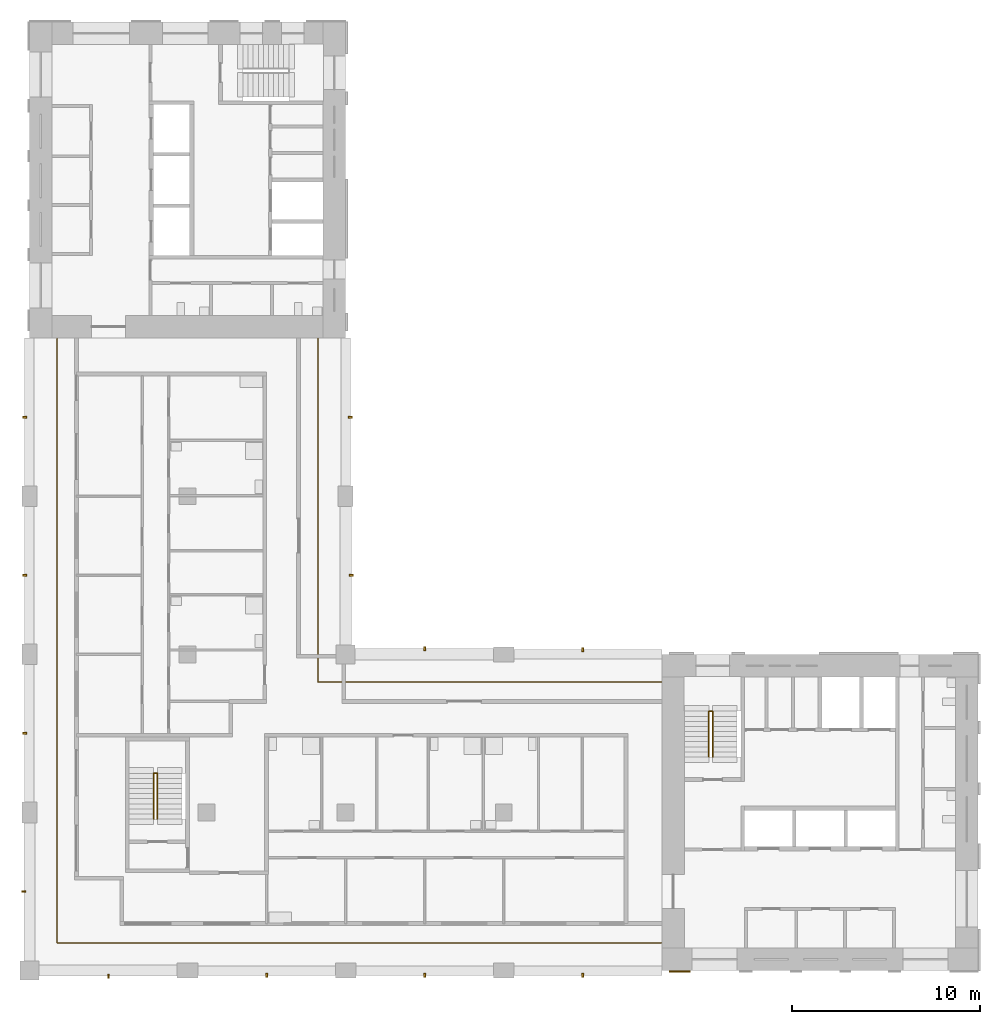
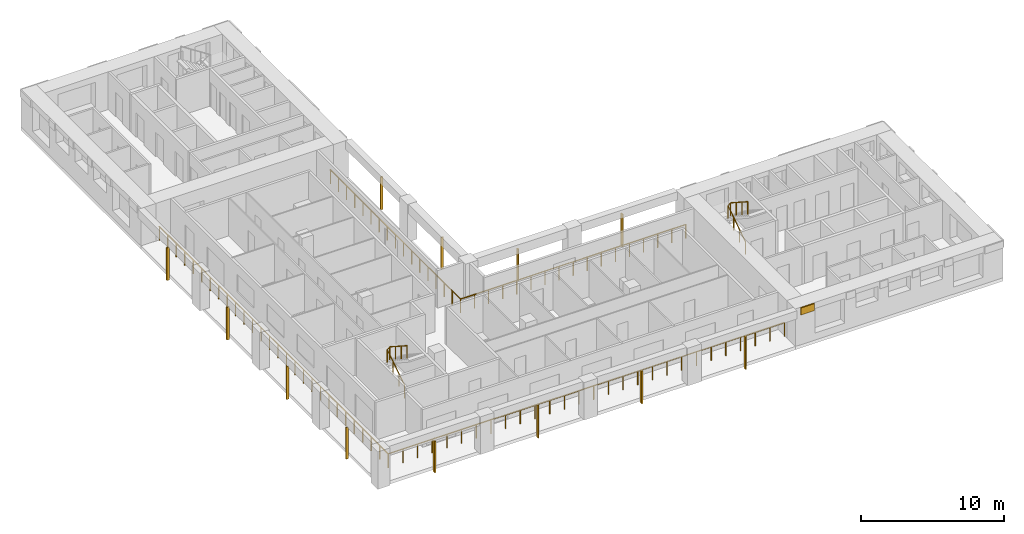
# One storey, part 8 of 10: 13 shading devices, 4 railings.
"""IFC4 building model written with IfcOpenShell, lengths in metres."""

from ifc_helpers import new_model, si_unit, direction, frame, origin, origin_2d, place, context, subcontext, project, spatial, rectangle, circle, extrude, material, layer, layer_set, material_profile, profile_set, type_object, element, save


model = new_model("IFC4")

# Units and contexts
model_context = context("Model", 3, precision=1e-05, world=origin(), true_north=direction((0.0, 1.0)))
body_context = subcontext(model_context, "Body", "Model", "MODEL_VIEW")
ifc_project = project(units=[si_unit("LENGTHUNIT", "METRE"), si_unit("AREAUNIT", "SQUARE_METRE"), si_unit("VOLUMEUNIT", "CUBIC_METRE"), si_unit("PLANEANGLEUNIT", "RADIAN"), si_unit("MASSUNIT", "GRAM", prefix="KILO")], contexts=[model_context])

# Site, building, storey
site_placement = place(None, origin())
site = spatial("IfcSite", under=ifc_project, at=site_placement, CompositionType="ELEMENT")
building_placement = place(site_placement, origin())
building = spatial("IfcBuilding", under=site, at=building_placement, Name="Vermilion Gate Residences", CompositionType="ELEMENT")
storey_placement = place(building_placement, frame((0.0, 0.0, 270.199951171875)))
storey = spatial("IfcBuildingStorey", under=building, at=storey_placement, Name="L71", CompositionType="ELEMENT", Elevation=270.199951171875)

# Railings
ifc_material_1 = material(Name="Stainless steel and toughened glass", Category="steel")
railing_type_1 = type_object("IfcRailingType", Name="LOGGIA GUARD STEEL AND GLASS 1200", PredefinedType="GUARDRAIL", material=ifc_material_1)
railing_1_placement = place(storey_placement, frame((41.97802734375, 23.72509765625, 0.0)))
element("IfcRailing", 1, at=railing_1_placement, inside=storey, type_object=railing_type_1, Name="Loggia guard", PredefinedType="GUARDRAIL", context=body_context, shape_type="SweptSolid", body=[
    extrude(circle(Radius=0.030029296875, at=origin_2d()), frame((0.0, 0.0, 1.169921875), z_axis=(-1.0, 0.0, 0.0), x_axis=(0.0, -1.0, 0.0)), (0.0, 0.0, 1.0), 18.2529296875),
    extrude(circle(Radius=0.030029296875, at=origin_2d()), frame((-18.2529296875, 0.0, 1.169921875), z_axis=(0.0, 1.0, 0.0), x_axis=(-1.0, 0.0, 0.0)), (0.0, 0.0, 1.0), 18.2529296875),
    extrude(circle(Radius=0.02490234375, at=origin_2d()), origin(), (0.0, 0.0, 1.0), 1.139892578125),
    extrude(circle(Radius=0.02490234375, at=origin_2d()), frame((-1.140869140625, 0.0, 0.0)), (0.0, 0.0, 1.0), 1.139892578125),
    extrude(circle(Radius=0.02490234375, at=origin_2d()), frame((-2.28173828125, 0.0, 0.0)), (0.0, 0.0, 1.0), 1.139892578125),
    extrude(circle(Radius=0.02490234375, at=origin_2d()), frame((-3.42236328125, 0.0, 0.0)), (0.0, 0.0, 1.0), 1.139892578125),
    extrude(circle(Radius=0.02490234375, at=origin_2d()), frame((-4.563232421875, 0.0, 0.0)), (0.0, 0.0, 1.0), 1.139892578125),
    extrude(circle(Radius=0.02490234375, at=origin_2d()), frame((-5.7041015625, 0.0, 0.0)), (0.0, 0.0, 1.0), 1.139892578125),
    extrude(circle(Radius=0.02490234375, at=origin_2d()), frame((-6.8447265625, 0.0, 0.0)), (0.0, 0.0, 1.0), 1.139892578125),
    extrude(circle(Radius=0.02490234375, at=origin_2d()), frame((-7.985595703125, 0.0, 0.0)), (0.0, 0.0, 1.0), 1.139892578125),
    extrude(circle(Radius=0.02490234375, at=origin_2d()), frame((-9.12646484375, 0.0, 0.0)), (0.0, 0.0, 1.0), 1.139892578125),
    extrude(circle(Radius=0.02490234375, at=origin_2d()), frame((-10.267333984375, 0.0, 0.0)), (0.0, 0.0, 1.0), 1.139892578125),
    extrude(circle(Radius=0.02490234375, at=origin_2d()), frame((-11.408203125, 0.0, 0.0)), (0.0, 0.0, 1.0), 1.139892578125),
    extrude(circle(Radius=0.02490234375, at=origin_2d()), frame((-12.548828125, 0.0, 0.0)), (0.0, 0.0, 1.0), 1.139892578125),
    extrude(circle(Radius=0.02490234375, at=origin_2d()), frame((-13.689697265625, 0.0, 0.0)), (0.0, 0.0, 1.0), 1.139892578125),
    extrude(circle(Radius=0.02490234375, at=origin_2d()), frame((-14.83056640625, 0.0, 0.0)), (0.0, 0.0, 1.0), 1.139892578125),
    extrude(circle(Radius=0.02490234375, at=origin_2d()), frame((-15.97119140625, 0.0, 0.0)), (0.0, 0.0, 1.0), 1.139892578125),
    extrude(circle(Radius=0.02490234375, at=origin_2d()), frame((-17.112060546875, 0.0, 0.0)), (0.0, 0.0, 1.0), 1.139892578125),
    extrude(circle(Radius=0.02490234375, at=origin_2d()), frame((-18.2529296875, 0.0, 0.0)), (0.0, 0.0, 1.0), 1.139892578125),
    extrude(circle(Radius=0.02490234375, at=origin_2d()), frame((-18.2529296875, 1.140869140625, 0.0)), (0.0, 0.0, 1.0), 1.139892578125),
    extrude(circle(Radius=0.02490234375, at=origin_2d()), frame((-18.2529296875, 2.28173828125, 0.0)), (0.0, 0.0, 1.0), 1.139892578125),
    extrude(circle(Radius=0.02490234375, at=origin_2d()), frame((-18.2529296875, 3.42236328125, 0.0)), (0.0, 0.0, 1.0), 1.139892578125),
    extrude(circle(Radius=0.02490234375, at=origin_2d()), frame((-18.2529296875, 4.563232421875, 0.0)), (0.0, 0.0, 1.0), 1.139892578125),
    extrude(circle(Radius=0.02490234375, at=origin_2d()), frame((-18.2529296875, 5.7041015625, 0.0)), (0.0, 0.0, 1.0), 1.139892578125),
    extrude(circle(Radius=0.02490234375, at=origin_2d()), frame((-18.2529296875, 6.8447265625, 0.0)), (0.0, 0.0, 1.0), 1.139892578125),
    extrude(circle(Radius=0.02490234375, at=origin_2d()), frame((-18.2529296875, 7.985595703125, 0.0)), (0.0, 0.0, 1.0), 1.139892578125),
    extrude(circle(Radius=0.02490234375, at=origin_2d()), frame((-18.2529296875, 9.12646484375, 0.0)), (0.0, 0.0, 1.0), 1.139892578125),
    extrude(circle(Radius=0.02490234375, at=origin_2d()), frame((-18.2529296875, 10.267333984375, 0.0)), (0.0, 0.0, 1.0), 1.139892578125),
    extrude(circle(Radius=0.02490234375, at=origin_2d()), frame((-18.2529296875, 11.408203125, 0.0)), (0.0, 0.0, 1.0), 1.139892578125),
    extrude(circle(Radius=0.02490234375, at=origin_2d()), frame((-18.2529296875, 12.548828125, 0.0)), (0.0, 0.0, 1.0), 1.139892578125),
    extrude(circle(Radius=0.02490234375, at=origin_2d()), frame((-18.2529296875, 13.689697265625, 0.0)), (0.0, 0.0, 1.0), 1.139892578125),
    extrude(circle(Radius=0.02490234375, at=origin_2d()), frame((-18.2529296875, 14.83056640625, 0.0)), (0.0, 0.0, 1.0), 1.139892578125),
    extrude(circle(Radius=0.02490234375, at=origin_2d()), frame((-18.2529296875, 15.97119140625, 0.0)), (0.0, 0.0, 1.0), 1.139892578125),
    extrude(circle(Radius=0.02490234375, at=origin_2d()), frame((-18.2529296875, 17.112060546875, 0.0)), (0.0, 0.0, 1.0), 1.139892578125),
    extrude(circle(Radius=0.02490234375, at=origin_2d()), frame((-18.2529296875, 18.2529296875, 0.0)), (0.0, 0.0, 1.0), 1.139892578125),
])
railing_2_placement = place(storey_placement, frame((9.875, 41.97802734375, 0.0)))
element("IfcRailing", 2, at=railing_2_placement, inside=storey, type_object=railing_type_1, Name="Loggia guard", PredefinedType="GUARDRAIL", context=body_context, shape_type="SweptSolid", body=[
    extrude(circle(Radius=0.030029296875, at=origin_2d()), frame((0.0, 0.0, 1.169921875), z_axis=(0.0, -1.0, 0.0), x_axis=(1.0, 0.0, 0.0)), (0.0, 0.0, 1.0), 32.10302734375),
    extrude(circle(Radius=0.030029296875, at=origin_2d()), frame((0.0, -32.10302734375, 1.169921875), z_axis=(1.0, 0.0, 0.0), x_axis=(0.0, 1.0, 0.0)), (0.0, 0.0, 1.0), 32.10302734375),
    extrude(circle(Radius=0.02490234375, at=origin_2d()), origin(), (0.0, 0.0, 1.0), 1.139892578125),
    extrude(circle(Radius=0.02490234375, at=origin_2d()), frame((0.0, -1.18896484375, 0.0)), (0.0, 0.0, 1.0), 1.139892578125),
    extrude(circle(Radius=0.02490234375, at=origin_2d()), frame((0.0, -2.3779296875, 0.0)), (0.0, 0.0, 1.0), 1.139892578125),
    extrude(circle(Radius=0.02490234375, at=origin_2d()), frame((0.0, -3.56689453125, 0.0)), (0.0, 0.0, 1.0), 1.139892578125),
    extrude(circle(Radius=0.02490234375, at=origin_2d()), frame((0.0, -4.756103515625, 0.0)), (0.0, 0.0, 1.0), 1.139892578125),
    extrude(circle(Radius=0.02490234375, at=origin_2d()), frame((0.0, -5.945068359375, 0.0)), (0.0, 0.0, 1.0), 1.139892578125),
    extrude(circle(Radius=0.02490234375, at=origin_2d()), frame((0.0, -7.134033203125, 0.0)), (0.0, 0.0, 1.0), 1.139892578125),
    extrude(circle(Radius=0.02490234375, at=origin_2d()), frame((0.0, -8.322998046875, 0.0)), (0.0, 0.0, 1.0), 1.139892578125),
    extrude(circle(Radius=0.02490234375, at=origin_2d()), frame((0.0, -9.511962890625, 0.0)), (0.0, 0.0, 1.0), 1.139892578125),
    extrude(circle(Radius=0.02490234375, at=origin_2d()), frame((0.0, -10.700927734375, 0.0)), (0.0, 0.0, 1.0), 1.139892578125),
    extrude(circle(Radius=0.02490234375, at=origin_2d()), frame((0.0, -11.889892578125, 0.0)), (0.0, 0.0, 1.0), 1.139892578125),
    extrude(circle(Radius=0.02490234375, at=origin_2d()), frame((0.0, -13.0791015625, 0.0)), (0.0, 0.0, 1.0), 1.139892578125),
    extrude(circle(Radius=0.02490234375, at=origin_2d()), frame((0.0, -14.26806640625, 0.0)), (0.0, 0.0, 1.0), 1.139892578125),
    extrude(circle(Radius=0.02490234375, at=origin_2d()), frame((0.0, -15.45703125, 0.0)), (0.0, 0.0, 1.0), 1.139892578125),
    extrude(circle(Radius=0.02490234375, at=origin_2d()), frame((0.0, -16.64599609375, 0.0)), (0.0, 0.0, 1.0), 1.139892578125),
    extrude(circle(Radius=0.02490234375, at=origin_2d()), frame((0.0, -17.8349609375, 0.0)), (0.0, 0.0, 1.0), 1.139892578125),
    extrude(circle(Radius=0.02490234375, at=origin_2d()), frame((0.0, -19.02392578125, 0.0)), (0.0, 0.0, 1.0), 1.139892578125),
    extrude(circle(Radius=0.02490234375, at=origin_2d()), frame((0.0, -20.213134765625, 0.0)), (0.0, 0.0, 1.0), 1.139892578125),
    extrude(circle(Radius=0.02490234375, at=origin_2d()), frame((0.0, -21.402099609375, 0.0)), (0.0, 0.0, 1.0), 1.139892578125),
    extrude(circle(Radius=0.02490234375, at=origin_2d()), frame((0.0, -22.591064453125, 0.0)), (0.0, 0.0, 1.0), 1.139892578125),
    extrude(circle(Radius=0.02490234375, at=origin_2d()), frame((0.0, -23.780029296875, 0.0)), (0.0, 0.0, 1.0), 1.139892578125),
    extrude(circle(Radius=0.02490234375, at=origin_2d()), frame((0.0, -24.968994140625, 0.0)), (0.0, 0.0, 1.0), 1.139892578125),
    extrude(circle(Radius=0.02490234375, at=origin_2d()), frame((0.0, -26.157958984375, 0.0)), (0.0, 0.0, 1.0), 1.139892578125),
    extrude(circle(Radius=0.02490234375, at=origin_2d()), frame((0.0, -27.346923828125, 0.0)), (0.0, 0.0, 1.0), 1.139892578125),
    extrude(circle(Radius=0.02490234375, at=origin_2d()), frame((0.0, -28.5361328125, 0.0)), (0.0, 0.0, 1.0), 1.139892578125),
    extrude(circle(Radius=0.02490234375, at=origin_2d()), frame((0.0, -29.72509765625, 0.0)), (0.0, 0.0, 1.0), 1.139892578125),
    extrude(circle(Radius=0.02490234375, at=origin_2d()), frame((0.0, -30.9140625, 0.0)), (0.0, 0.0, 1.0), 1.139892578125),
    extrude(circle(Radius=0.02490234375, at=origin_2d()), frame((0.0, -32.10302734375, 0.0)), (0.0, 0.0, 1.0), 1.139892578125),
    extrude(circle(Radius=0.02490234375, at=origin_2d()), frame((1.18896484375, -32.10302734375, 0.0)), (0.0, 0.0, 1.0), 1.139892578125),
    extrude(circle(Radius=0.02490234375, at=origin_2d()), frame((2.3779296875, -32.10302734375, 0.0)), (0.0, 0.0, 1.0), 1.139892578125),
    extrude(circle(Radius=0.02490234375, at=origin_2d()), frame((3.56689453125, -32.10302734375, 0.0)), (0.0, 0.0, 1.0), 1.139892578125),
    extrude(circle(Radius=0.02490234375, at=origin_2d()), frame((4.756103515625, -32.10302734375, 0.0)), (0.0, 0.0, 1.0), 1.139892578125),
    extrude(circle(Radius=0.02490234375, at=origin_2d()), frame((5.945068359375, -32.10302734375, 0.0)), (0.0, 0.0, 1.0), 1.139892578125),
    extrude(circle(Radius=0.02490234375, at=origin_2d()), frame((7.134033203125, -32.10302734375, 0.0)), (0.0, 0.0, 1.0), 1.139892578125),
    extrude(circle(Radius=0.02490234375, at=origin_2d()), frame((8.322998046875, -32.10302734375, 0.0)), (0.0, 0.0, 1.0), 1.139892578125),
    extrude(circle(Radius=0.02490234375, at=origin_2d()), frame((9.511962890625, -32.10302734375, 0.0)), (0.0, 0.0, 1.0), 1.139892578125),
    extrude(circle(Radius=0.02490234375, at=origin_2d()), frame((10.700927734375, -32.10302734375, 0.0)), (0.0, 0.0, 1.0), 1.139892578125),
    extrude(circle(Radius=0.02490234375, at=origin_2d()), frame((11.889892578125, -32.10302734375, 0.0)), (0.0, 0.0, 1.0), 1.139892578125),
    extrude(circle(Radius=0.02490234375, at=origin_2d()), frame((13.0791015625, -32.10302734375, 0.0)), (0.0, 0.0, 1.0), 1.139892578125),
    extrude(circle(Radius=0.02490234375, at=origin_2d()), frame((14.26806640625, -32.10302734375, 0.0)), (0.0, 0.0, 1.0), 1.139892578125),
    extrude(circle(Radius=0.02490234375, at=origin_2d()), frame((15.45703125, -32.10302734375, 0.0)), (0.0, 0.0, 1.0), 1.139892578125),
    extrude(circle(Radius=0.02490234375, at=origin_2d()), frame((16.64599609375, -32.10302734375, 0.0)), (0.0, 0.0, 1.0), 1.139892578125),
    extrude(circle(Radius=0.02490234375, at=origin_2d()), frame((17.8349609375, -32.10302734375, 0.0)), (0.0, 0.0, 1.0), 1.139892578125),
    extrude(circle(Radius=0.02490234375, at=origin_2d()), frame((19.02392578125, -32.10302734375, 0.0)), (0.0, 0.0, 1.0), 1.139892578125),
    extrude(circle(Radius=0.02490234375, at=origin_2d()), frame((20.213134765625, -32.10302734375, 0.0)), (0.0, 0.0, 1.0), 1.139892578125),
    extrude(circle(Radius=0.02490234375, at=origin_2d()), frame((21.402099609375, -32.10302734375, 0.0)), (0.0, 0.0, 1.0), 1.139892578125),
    extrude(circle(Radius=0.02490234375, at=origin_2d()), frame((22.591064453125, -32.10302734375, 0.0)), (0.0, 0.0, 1.0), 1.139892578125),
    extrude(circle(Radius=0.02490234375, at=origin_2d()), frame((23.780029296875, -32.10302734375, 0.0)), (0.0, 0.0, 1.0), 1.139892578125),
    extrude(circle(Radius=0.02490234375, at=origin_2d()), frame((24.968994140625, -32.10302734375, 0.0)), (0.0, 0.0, 1.0), 1.139892578125),
    extrude(circle(Radius=0.02490234375, at=origin_2d()), frame((26.157958984375, -32.10302734375, 0.0)), (0.0, 0.0, 1.0), 1.139892578125),
    extrude(circle(Radius=0.02490234375, at=origin_2d()), frame((27.346923828125, -32.10302734375, 0.0)), (0.0, 0.0, 1.0), 1.139892578125),
    extrude(circle(Radius=0.02490234375, at=origin_2d()), frame((28.5361328125, -32.10302734375, 0.0)), (0.0, 0.0, 1.0), 1.139892578125),
    extrude(circle(Radius=0.02490234375, at=origin_2d()), frame((29.72509765625, -32.10302734375, 0.0)), (0.0, 0.0, 1.0), 1.139892578125),
    extrude(circle(Radius=0.02490234375, at=origin_2d()), frame((30.9140625, -32.10302734375, 0.0)), (0.0, 0.0, 1.0), 1.139892578125),
    extrude(circle(Radius=0.02490234375, at=origin_2d()), frame((32.10302734375, -32.10302734375, 0.0)), (0.0, 0.0, 1.0), 1.139892578125),
])
ifc_material_2 = material(Name="Steel S355", Category="steel")
railing_type_2 = type_object("IfcRailingType", Name="STAIR GUARD 1100 STEEL", PredefinedType="GUARDRAIL", material=ifc_material_2)
for number, where, name in (
    (3, (44.5, 19.75, 0.175048828125), "Stair well guard STA1-71"),
    (4, (15.0, 16.449951171875, 0.175048828125), "Stair well guard STC1-71"),
):
    element("IfcRailing", number, at=place(storey_placement, frame(where)), inside=storey, type_object=railing_type_2, Name=name, PredefinedType="GUARDRAIL", context=body_context, shape_type="SweptSolid", body=[
        extrude(circle(Radius=0.02392578125, at=origin_2d()), frame((0.0, 0.0, 1.076171875), z_axis=(0.0, 0.839153699163, 0.543894354798), x_axis=(-1.0, 0.0, 0.0)), (0.0, 0.0, 1.0), 2.895751953125),
        extrude(circle(Radius=0.02392578125, at=origin_2d()), frame((0.0, 2.429931640625, 2.65087890625), z_axis=(0.752405939678, 0.0, 0.658699705433), x_axis=(0.0, 1.0, 0.0)), (0.0, 0.0, 1.0), 0.265869140625),
        extrude(circle(Radius=0.02392578125, at=origin_2d()), frame((0.199951171875, 2.429931640625, 2.826171875), z_axis=(0.0, -0.839153699163, 0.543894354798), x_axis=(1.0, 0.0, 0.0)), (0.0, 0.0, 1.0), 2.895751953125),
        extrude(circle(Radius=0.02099609375, at=origin_2d()), origin(), (0.0, 0.0, 1.0), 1.052001953125),
        extrude(circle(Radius=0.02099609375, at=origin_2d()), frame((0.0, 0.81005859375, 0.52490234375)), (0.0, 0.0, 1.0), 1.052001953125),
        extrude(circle(Radius=0.02099609375, at=origin_2d()), frame((0.0, 1.619873046875, 1.050048828125)), (0.0, 0.0, 1.0), 1.052001953125),
        extrude(circle(Radius=0.02099609375, at=origin_2d()), frame((0.0, 2.429931640625, 1.574951171875)), (0.0, 0.0, 1.0), 1.052001953125),
        extrude(circle(Radius=0.02099609375, at=origin_2d()), frame((0.199951171875, 2.429931640625, 1.75)), (0.0, 0.0, 1.0), 1.052001953125),
        extrude(circle(Radius=0.02099609375, at=origin_2d()), frame((0.199951171875, 1.619873046875, 2.27490234375)), (0.0, 0.0, 1.0), 1.052001953125),
        extrude(circle(Radius=0.02099609375, at=origin_2d()), frame((0.199951171875, 0.81005859375, 2.800048828125)), (0.0, 0.0, 1.0), 1.052001953125),
        extrude(circle(Radius=0.02099609375, at=origin_2d()), frame((0.199951171875, 0.0, 3.324951171875)), (0.0, 0.0, 1.0), 1.052001953125),
    ])

# Shading devices
ifc_material_3 = material(Name="Extruded terracotta", Category="masonry")
ifc_material_profile = material_profile(ifc_material_3, rectangle(XDim=0.199951171875, YDim=0.10009765625, at=origin_2d()), Name="BAGUETTE 100 X 200")
ifc_profile_set = profile_set([ifc_material_profile], Name="Extruded terracotta")
shading_device_type_1 = type_object("IfcShadingDeviceType", Name="TERRACOTTA BAGUETTE 100 X 200", PredefinedType="JALOUSIE", material=ifc_profile_set)
shading_device_1_placement = place(storey_placement, frame((12.60009765625, 8.10009765625, -0.280029296875), z_axis=(0.0, 0.0, 1.0), x_axis=(0.0, 1.0, 0.0)))
element("IfcShadingDevice", 5, at=shading_device_1_placement, inside=storey, type_object=shading_device_type_1, Name="BAGUETTE", PredefinedType="JALOUSIE", context=body_context, shape_type="SweptSolid", body=[
    extrude(rectangle(XDim=0.199951171875, YDim=0.10009765625, at=origin_2d()), origin(), (0.0, 0.0, 1.0), 2.7001953125),
])
for number, where, z_axis, x_axis, name in (
    (6, (21.0, 8.14990234375, -0.280029296875), (0.0, 0.0, 1.0), (0.0, 1.0, 0.0), "BAGUETTE"),
    (7, (29.39990234375, 8.14990234375, -0.280029296875), (0.0, 0.0, 1.0), (0.0, 1.0, 0.0), "BAGUETTE"),
    (8, (37.800048828125, 8.14990234375, -0.280029296875), (0.0, 0.0, 1.0), (0.0, 1.0, 0.0), "BAGUETTE"),
):
    element("IfcShadingDevice", number, at=place(storey_placement, frame(where, z_axis=z_axis, x_axis=x_axis)), inside=storey, type_object=shading_device_type_1, Name=name, PredefinedType="JALOUSIE", context=body_context, shape_type="SweptSolid", body=[
        extrude(rectangle(XDim=0.199951171875, YDim=0.10009765625, at=origin_2d()), origin(), (0.0, 0.0, 1.0), 2.800048828125),
    ])
shading_device_2_placement = place(storey_placement, frame((29.39990234375, 25.5, -0.280029296875), z_axis=(0.0, 0.0, 1.0), x_axis=(0.0, -1.0, 0.0)))
element("IfcShadingDevice", 9, at=shading_device_2_placement, inside=storey, type_object=shading_device_type_1, Name="BAGUETTE", PredefinedType="JALOUSIE", context=body_context, shape_type="SweptSolid", body=[
    extrude(rectangle(XDim=0.199951171875, YDim=0.10009765625, at=origin_2d()), origin(), (0.0, 0.0, 1.0), 2.7001953125),
])
shading_device_3_placement = place(storey_placement, frame((37.800048828125, 25.449951171875, -0.280029296875), z_axis=(0.0, 0.0, 1.0), x_axis=(0.0, -1.0, 0.0)))
element("IfcShadingDevice", 10, at=shading_device_3_placement, inside=storey, type_object=shading_device_type_1, Name="BAGUETTE", PredefinedType="JALOUSIE", context=body_context, shape_type="SweptSolid", body=[
    extrude(rectangle(XDim=0.199951171875, YDim=0.10009765625, at=origin_2d()), origin(), (0.0, 0.0, 1.0), 2.800048828125),
])
shading_device_4_placement = place(storey_placement, frame((25.5, 29.39990234375, -0.280029296875), z_axis=(0.0, 0.0, 1.0), x_axis=(-1.0, 0.0, 0.0)))
element("IfcShadingDevice", 11, at=shading_device_4_placement, inside=storey, type_object=shading_device_type_1, Name="BAGUETTE", PredefinedType="JALOUSIE", context=body_context, shape_type="SweptSolid", body=[
    extrude(rectangle(XDim=0.199951171875, YDim=0.10009765625, at=origin_2d()), origin(), (0.0, 0.0, 1.0), 2.7001953125),
])
shading_device_5_placement = place(storey_placement, frame((25.449951171875, 37.800048828125, -0.280029296875), z_axis=(0.0, 0.0, 1.0), x_axis=(-1.0, 0.0, 0.0)))
element("IfcShadingDevice", 12, at=shading_device_5_placement, inside=storey, type_object=shading_device_type_1, Name="BAGUETTE", PredefinedType="JALOUSIE", context=body_context, shape_type="SweptSolid", body=[
    extrude(rectangle(XDim=0.199951171875, YDim=0.10009765625, at=origin_2d()), origin(), (0.0, 0.0, 1.0), 2.800048828125),
])
shading_device_6_placement = place(storey_placement, frame((8.10009765625, 12.60009765625, -0.280029296875), z_axis=(0.0, 0.0, 1.0), x_axis=(1.0, 0.0, 0.0)))
element("IfcShadingDevice", 13, at=shading_device_6_placement, inside=storey, type_object=shading_device_type_1, Name="BAGUETTE", PredefinedType="JALOUSIE", context=body_context, shape_type="SweptSolid", body=[
    extrude(rectangle(XDim=0.199951171875, YDim=0.10009765625, at=origin_2d()), origin(), (0.0, 0.0, 1.0), 2.7001953125),
])
for number, where, z_axis, x_axis, name in (
    (14, (8.14990234375, 21.0, -0.280029296875), (0.0, 0.0, 1.0), (1.0, 0.0, 0.0), "BAGUETTE"),
    (15, (8.14990234375, 29.39990234375, -0.280029296875), (0.0, 0.0, 1.0), (1.0, 0.0, 0.0), "BAGUETTE"),
    (16, (8.14990234375, 37.800048828125, -0.280029296875), (0.0, 0.0, 1.0), (1.0, 0.0, 0.0), "BAGUETTE"),
):
    element("IfcShadingDevice", number, at=place(storey_placement, frame(where, z_axis=z_axis, x_axis=x_axis)), inside=storey, type_object=shading_device_type_1, Name=name, PredefinedType="JALOUSIE", context=body_context, shape_type="SweptSolid", body=[
        extrude(rectangle(XDim=0.199951171875, YDim=0.10009765625, at=origin_2d()), origin(), (0.0, 0.0, 1.0), 2.800048828125),
    ])
ifc_material_4 = material(Name="Extruded terracotta", Category="masonry")
ifc_layer = layer(ifc_material_4, 0.10009765625)
ifc_layer_set = layer_set([ifc_layer], Name="TERRACOTTA SPANDREL BAND 600 X 100")
shading_device_type_2 = type_object("IfcShadingDeviceType", Name="TERRACOTTA SPANDREL BAND 600 X 100", PredefinedType="USERDEFINED", material=ifc_layer_set)
shading_device_7_placement = place(storey_placement, frame((42.949951171875, 8.35009765625, 2.6201171875), z_axis=(0.0, 0.0, 1.0), x_axis=(1.0, 0.0, 0.0)))
element("IfcShadingDevice", 17, at=shading_device_7_placement, inside=storey, type_object=shading_device_type_2, Name="SPANDREL BAND", ObjectType="BAND", PredefinedType="USERDEFINED", context=body_context, shape_type="SweptSolid", body=[
    extrude(rectangle(XDim=1.10009765625, YDim=0.10009765625, at=origin_2d()), origin(), (0.0, 0.0, 1.0), 0.60009765625),
])

save(model, "model.ifc")
